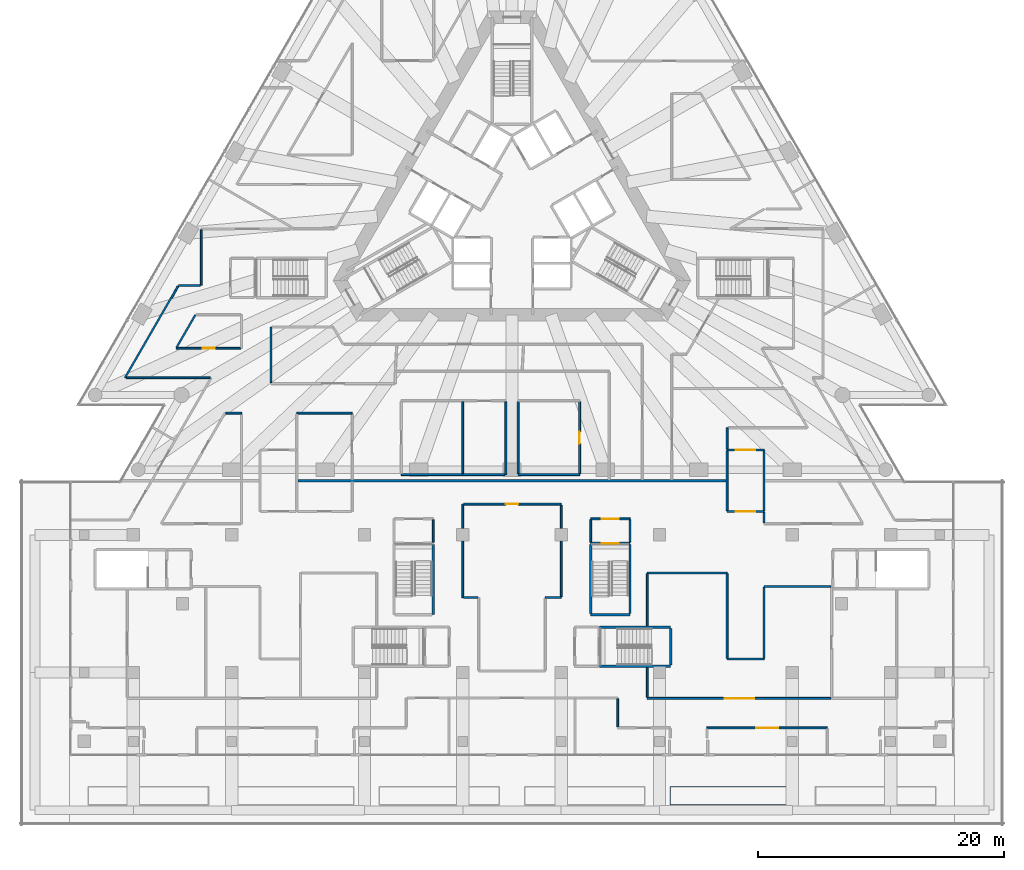
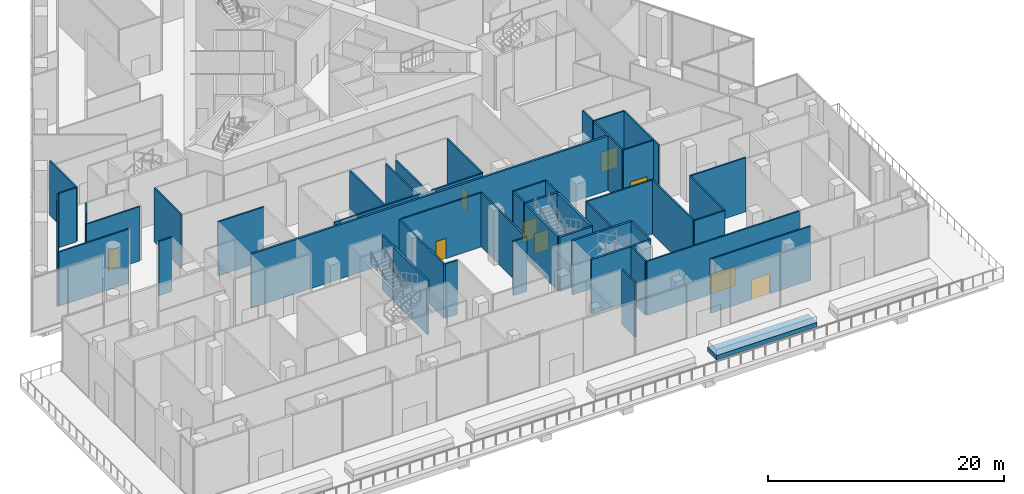
# One storey, part 24 of 36: 51 walls, 9 doors, 9 openings.
"""IFC4 building model written with IfcOpenShell, lengths in metres."""

from ifc_helpers import new_model, si_unit, direction, frame, frame_2d, origin, place, context, subcontext, project, spatial, rectangle, extrude, material, layer, layer_set, type_object, element, fill, save


model = new_model("IFC4")

# Units and contexts
model_context = context("Model", 3, precision=1e-05, world=origin(), true_north=direction((0.0, 1.0)))
body_context = subcontext(model_context, "Body", "Model", "MODEL_VIEW")
ifc_project = project(units=[si_unit("LENGTHUNIT", "METRE"), si_unit("AREAUNIT", "SQUARE_METRE"), si_unit("VOLUMEUNIT", "CUBIC_METRE"), si_unit("PLANEANGLEUNIT", "RADIAN"), si_unit("MASSUNIT", "GRAM", prefix="KILO")], contexts=[model_context])

# Site, building, storey
site_placement = place(None, origin())
site = spatial("IfcSite", under=ifc_project, at=site_placement, CompositionType="ELEMENT")
building_placement = place(site_placement, origin())
building = spatial("IfcBuilding", under=site, at=building_placement, Name="Triada Interchange Tower", CompositionType="ELEMENT")
storey_placement = place(building_placement, frame((0.0, 0.0, 8.5)))
storey = spatial("IfcBuildingStorey", under=building, at=storey_placement, Name="L01", CompositionType="ELEMENT", Elevation=8.5)

# Walls
ifc_material_1 = material(Name="Concrete C30/37", Category="concrete")
ifc_layer_1 = layer(ifc_material_1, 0.199951171875)
ifc_layer_set_1 = layer_set([ifc_layer_1], Name="COMPARTMENT WALL 200 EI 180")
wall_type_1 = type_object("IfcWallType", Name="COMPARTMENT WALL 200 EI 180", PredefinedType="SOLIDWALL", material=ifc_layer_set_1)
wall_1_placement = place(storey_placement, frame((-17.425048828125, -22.5, 0.0), z_axis=(0.0, 0.0, 1.0), x_axis=(1.0, 0.0, 0.0)))
element("IfcWall", 1, at=wall_1_placement, inside=storey, type_object=wall_type_1, Name="Compartment wall L01 51", PredefinedType="SOLIDWALL", context=body_context, shape_type="SweptSolid", body=[
    extrude(rectangle(XDim=34.85009765625, YDim=0.199951171875, at=frame_2d((17.425048828125, 0.0))), origin(), (0.0, 0.0, 1.0), 5.60009765625),
])
ifc_layer_2 = layer(ifc_material_1, 0.199951171875)
ifc_layer_set_2 = layer_set([ifc_layer_2], Name="CORE WALL 200 REI 240")
wall_type_2 = type_object("IfcWallType", Name="CORE WALL 200 REI 240", PredefinedType="SOLIDWALL", material=ifc_layer_set_2)
for number, where, z_axis, x_axis, name in (
    (2, (7.10009765625, -37.60009765625, 0.0), (0.0, 0.0, 1.0), (1.0, 0.0, 0.0), "Wall L01 248"),
    (3, (7.10009765625, -34.39990234375, 0.0), (0.0, 0.0, 1.0), (1.0, 0.0, 0.0), "Wall L01 251"),
):
    element("IfcWall", number, at=place(storey_placement, frame(where, z_axis=z_axis, x_axis=x_axis)), inside=storey, type_object=wall_type_2, Name=name, PredefinedType="SOLIDWALL", context=body_context, shape_type="SweptSolid", body=[
        extrude(rectangle(XDim=5.7998046875, YDim=0.199951171875, at=frame_2d((2.89990234375, 0.0))), origin(), (0.0, 0.0, 1.0), 5.60009765625),
    ])

# Wall, opening, door
wall_2_placement = place(storey_placement, frame((6.39990234375, -27.60009765625, 0.0), z_axis=(0.0, 0.0, 1.0), x_axis=(1.0, 0.0, 0.0)))
wall_2 = element("IfcWall", 4, at=wall_2_placement, inside=storey, type_object=wall_type_2, Name="Wall L01 255", PredefinedType="SOLIDWALL", context=body_context, shape_type="SweptSolid", body=[
    extrude(rectangle(XDim=3.2001953125, YDim=0.199951171875, at=frame_2d((1.60009765625, 0.0))), origin(), (0.0, 0.0, 1.0), 5.60009765625),
])
opening_1_placement = place(wall_2_placement, frame((0.89990234375, 0.0, 0.0)))
opening_1 = element("IfcOpeningElement", 5, at=opening_1_placement, cuts=wall_2, Name="Opening D01-27", PredefinedType="OPENING", context=body_context, shape_type="SweptSolid", body=[
    extrude(rectangle(XDim=1.39990234375, YDim=2.10009765625, at=frame_2d((0.699951171875, 1.050048828125))), frame((0.0, 0.10986328125, 0.0), z_axis=(0.0, -1.0, 0.0), x_axis=(1.0, 0.0, 0.0)), (0.0, 0.0, 1.0), 0.219970703125),
])
ifc_material_2 = material(Name="Steel S235 door leaf", Category="steel")
door_type_1 = type_object("IfcDoorType", Name="STAIR DOOR 1400 EI2 90-C5S200", OperationType="DOUBLE_DOOR_SINGLE_SWING", PredefinedType="DOOR", material=ifc_material_2)
door_1_placement = place(opening_1_placement, origin())
door_1 = element("IfcDoor", 6, at=door_1_placement, inside=storey, type_object=door_type_1, Name="Door D01-27 L01", OperationType="DOUBLE_DOOR_SINGLE_SWING", OverallHeight=2.10009765625, OverallWidth=1.39990234375, PredefinedType="DOOR", context=body_context, shape_type="SweptSolid", body=[
    extrude(rectangle(XDim=1.39990234375, YDim=2.10009765625, at=frame_2d((0.699951171875, 1.050048828125))), frame((0.0, 0.02490234375, 0.0), z_axis=(0.0, -1.0, 0.0), x_axis=(1.0, 0.0, 0.0)), (0.0, 0.0, 1.0), 0.050048828125),
])
fill(opening_1, door_1)

# Walls
wall_3_placement = place(storey_placement, frame((-6.39990234375, -33.39990234375, 0.0), z_axis=(0.0, 0.0, 1.0), x_axis=(0.0, 1.0, 0.0)))
element("IfcWall", 7, at=wall_3_placement, inside=storey, type_object=wall_type_2, Name="Wall L01 256", PredefinedType="SOLIDWALL", context=body_context, shape_type="SweptSolid", body=[
    extrude(rectangle(XDim=5.699951171875, YDim=0.199951171875, at=frame_2d((2.85009765625, 0.0))), origin(), (0.0, 0.0, 1.0), 5.60009765625),
])
wall_4_placement = place(storey_placement, frame((6.39990234375, -33.39990234375, 0.0), z_axis=(0.0, 0.0, 1.0), x_axis=(1.0, 0.0, 0.0)))
element("IfcWall", 8, at=wall_4_placement, inside=storey, type_object=wall_type_2, Name="Wall L01 258", PredefinedType="SOLIDWALL", context=body_context, shape_type="SweptSolid", body=[
    extrude(rectangle(XDim=3.2001953125, YDim=0.199951171875, at=frame_2d((1.60009765625, 0.0))), origin(), (0.0, 0.0, 1.0), 5.60009765625),
])
wall_5_placement = place(storey_placement, frame((9.60009765625, -33.300048828125, 0.0), z_axis=(0.0, 0.0, 1.0), x_axis=(0.0, 1.0, 0.0)))
element("IfcWall", 9, at=wall_5_placement, inside=storey, type_object=wall_type_2, Name="Wall L01 259", PredefinedType="SOLIDWALL", context=body_context, shape_type="SweptSolid", body=[
    extrude(rectangle(XDim=5.60009765625, YDim=0.199951171875, at=frame_2d((2.800048828125, 0.0))), origin(), (0.0, 0.0, 1.0), 5.60009765625),
])
wall_6_placement = place(storey_placement, frame((6.39990234375, -33.300048828125, 0.0), z_axis=(0.0, 0.0, 1.0), x_axis=(0.0, 1.0, 0.0)))
element("IfcWall", 10, at=wall_6_placement, inside=storey, type_object=wall_type_2, Name="Wall L01 260", PredefinedType="SOLIDWALL", context=body_context, shape_type="SweptSolid", body=[
    extrude(rectangle(XDim=5.59814453125, YDim=0.199951171875, at=frame_2d((2.799072265625, 0.0))), origin(), (0.0, 0.0, 1.0), 5.60009765625),
])
wall_7_placement = place(storey_placement, frame((12.89990234375, -37.5, 0.0), z_axis=(0.0, 0.0, 1.0), x_axis=(0.0, 1.0, 0.0)))
element("IfcWall", 11, at=wall_7_placement, inside=storey, type_object=wall_type_2, Name="Wall L01 262", PredefinedType="SOLIDWALL", context=body_context, shape_type="SweptSolid", body=[
    extrude(rectangle(XDim=3.0, YDim=0.199951171875, at=frame_2d((1.5, 0.0))), origin(), (0.0, 0.0, 1.0), 5.60009765625),
])

# Wall, opening, door
ifc_material_3 = material(Name="Gypsum board partition")
ifc_layer_3 = layer(ifc_material_3, 0.14990234375)
ifc_layer_set_3 = layer_set([ifc_layer_3], Name="PARTITION 150 EI 180")
wall_type_3 = type_object("IfcWallType", Name="PARTITION 150 EI 180", PredefinedType="PARTITIONING", material=ifc_layer_set_3)
wall_8_placement = place(storey_placement, frame((6.39990234375, -25.60009765625, 0.0), z_axis=(0.0, 0.0, 1.0), x_axis=(1.0, 0.0, 0.0)))
wall_8 = element("IfcWall", 12, at=wall_8_placement, inside=storey, type_object=wall_type_3, Name="Wall L01 13", PredefinedType="PARTITIONING", context=body_context, shape_type="SweptSolid", body=[
    extrude(rectangle(XDim=3.2001953125, YDim=0.14990234375, at=frame_2d((1.60009765625, 0.0))), origin(), (0.0, 0.0, 1.0), 5.60009765625),
])
opening_2_placement = place(wall_8_placement, frame((0.89990234375, 0.0, 0.0)))
opening_2 = element("IfcOpeningElement", 13, at=opening_2_placement, cuts=wall_8, Name="Opening D01-28", PredefinedType="OPENING", context=body_context, shape_type="SweptSolid", body=[
    extrude(rectangle(XDim=1.39990234375, YDim=2.10009765625, at=frame_2d((0.699951171875, 1.050048828125))), frame((0.0, 0.0849609375, 0.0), z_axis=(0.0, -1.0, 0.0), x_axis=(1.0, 0.0, 0.0)), (0.0, 0.0, 1.0), 0.169921875),
])
door_2_placement = place(opening_2_placement, origin())
door_2 = element("IfcDoor", 14, at=door_2_placement, inside=storey, type_object=door_type_1, Name="Door D01-28 L01", OperationType="DOUBLE_DOOR_SINGLE_SWING", OverallHeight=2.10009765625, OverallWidth=1.39990234375, PredefinedType="DOOR", context=body_context, shape_type="SweptSolid", body=[
    extrude(rectangle(XDim=1.39990234375, YDim=2.10009765625, at=frame_2d((0.699951171875, 1.050048828125))), frame((0.0, 0.02490234375, 0.0), z_axis=(0.0, -1.0, 0.0), x_axis=(1.0, 0.0, 0.0)), (0.0, 0.0, 1.0), 0.050048828125),
])
fill(opening_2, door_2)

# Walls
for number, where, z_axis, x_axis, name in (
    (15, (-6.39990234375, -27.5, 0.0), (0.0, 0.0, 1.0), (0.0, 1.0, 0.0), "Wall L01 14"),
    (16, (6.39990234375, -27.5, 0.0), (0.0, 0.0, 1.0), (0.0, 1.0, 0.0), "Wall L01 20"),
    (17, (9.60009765625, -27.5, 0.0), (0.0, 0.0, 1.0), (0.0, 1.0, 0.0), "Wall L01 21"),
):
    element("IfcWall", number, at=place(storey_placement, frame(where, z_axis=z_axis, x_axis=x_axis)), inside=storey, type_object=wall_type_3, Name=name, PredefinedType="PARTITIONING", context=body_context, shape_type="SweptSolid", body=[
        extrude(rectangle(XDim=1.824951171875, YDim=0.14990234375, at=frame_2d((0.91259765625, 0.0))), origin(), (0.0, 0.0, 1.0), 5.60009765625),
    ])

# Wall, opening, door
ifc_layer_4 = layer(ifc_material_3, 0.14990234375)
ifc_layer_set_4 = layer_set([ifc_layer_4], Name="PARTITION 150 EI 90")
wall_type_4 = type_object("IfcWallType", Name="PARTITION 150 EI 90", PredefinedType="PARTITIONING", material=ifc_layer_set_4)
wall_9_placement = place(storey_placement, frame((17.5, -20.0, 0.0), z_axis=(0.0, 0.0, 1.0), x_axis=(1.0, 0.0, 0.0)))
wall_9 = element("IfcWall", 18, at=wall_9_placement, inside=storey, type_object=wall_type_4, Name="Wall L01 30", PredefinedType="PARTITIONING", context=body_context, shape_type="SweptSolid", body=[
    extrude(rectangle(XDim=3.0, YDim=0.14990234375, at=frame_2d((1.5, 0.0))), origin(), (0.0, 0.0, 1.0), 5.60009765625),
])
opening_3_placement = place(wall_9_placement, frame((0.699951171875, 0.0, 0.0)))
opening_3 = element("IfcOpeningElement", 19, at=opening_3_placement, cuts=wall_9, Name="Opening D01-14", PredefinedType="OPENING", context=body_context, shape_type="SweptSolid", body=[
    extrude(rectangle(XDim=1.60009765625, YDim=2.10009765625, at=frame_2d((0.800048828125, 1.050048828125))), frame((0.0, 0.0849609375, 0.0), z_axis=(0.0, -1.0, 0.0), x_axis=(1.0, 0.0, 0.0)), (0.0, 0.0, 1.0), 0.169921875),
])
door_type_2 = type_object("IfcDoorType", Name="STAIR DOOR 1600 EI2 90-C5S200", OperationType="DOUBLE_DOOR_SINGLE_SWING", PredefinedType="DOOR", material=ifc_material_2)
door_3_placement = place(opening_3_placement, origin())
door_3 = element("IfcDoor", 20, at=door_3_placement, inside=storey, type_object=door_type_2, Name="Door D01-14 L01", OperationType="DOUBLE_DOOR_SINGLE_SWING", OverallHeight=2.10009765625, OverallWidth=1.60009765625, PredefinedType="DOOR", context=body_context, shape_type="SweptSolid", body=[
    extrude(rectangle(XDim=1.60009765625, YDim=2.10009765625, at=frame_2d((0.800048828125, 1.050048828125))), frame((0.0, 0.02490234375, 0.0), z_axis=(0.0, -1.0, 0.0), x_axis=(1.0, 0.0, 0.0)), (0.0, 0.0, 1.0), 0.050048828125),
])
fill(opening_3, door_3)

wall_10_placement = place(storey_placement, frame((17.5, -25.0, 0.0), z_axis=(0.0, 0.0, 1.0), x_axis=(1.0, 0.0, 0.0)))
wall_10 = element("IfcWall", 21, at=wall_10_placement, inside=storey, type_object=wall_type_4, Name="Wall L01 33", PredefinedType="PARTITIONING", context=body_context, shape_type="SweptSolid", body=[
    extrude(rectangle(XDim=3.0, YDim=0.14990234375, at=frame_2d((1.5, 0.0))), origin(), (0.0, 0.0, 1.0), 5.60009765625),
])
opening_4_placement = place(wall_10_placement, frame((0.699951171875, 0.0, 0.0)))
opening_4 = element("IfcOpeningElement", 22, at=opening_4_placement, cuts=wall_10, Name="Opening D01-13", PredefinedType="OPENING", context=body_context, shape_type="SweptSolid", body=[
    extrude(rectangle(XDim=1.60009765625, YDim=2.10009765625, at=frame_2d((0.800048828125, 1.050048828125))), frame((0.0, 0.0849609375, 0.0), z_axis=(0.0, -1.0, 0.0), x_axis=(1.0, 0.0, 0.0)), (0.0, 0.0, 1.0), 0.169921875),
])
door_4_placement = place(opening_4_placement, origin())
door_4 = element("IfcDoor", 23, at=door_4_placement, inside=storey, type_object=door_type_2, Name="Door D01-13 L01", OperationType="DOUBLE_DOOR_SINGLE_SWING", OverallHeight=2.10009765625, OverallWidth=1.60009765625, PredefinedType="DOOR", context=body_context, shape_type="SweptSolid", body=[
    extrude(rectangle(XDim=1.60009765625, YDim=2.10009765625, at=frame_2d((0.800048828125, 1.050048828125))), frame((0.0, 0.02490234375, 0.0), z_axis=(0.0, -1.0, 0.0), x_axis=(1.0, 0.0, 0.0)), (0.0, 0.0, 1.0), 0.050048828125),
])
fill(opening_4, door_4)

# Walls
for number, where, z_axis, x_axis, name in (
    (24, (17.5, -24.925048828125, 0.0), (0.0, 0.0, 1.0), (0.0, 1.0, 0.0), "Wall L01 34"),
    (25, (20.5, -24.925048828125, 0.0), (0.0, 0.0, 1.0), (0.0, 1.0, 0.0), "Wall L01 35"),
):
    element("IfcWall", number, at=place(storey_placement, frame(where, z_axis=z_axis, x_axis=x_axis)), inside=storey, type_object=wall_type_4, Name=name, PredefinedType="PARTITIONING", context=body_context, shape_type="SweptSolid", body=[
        extrude(rectangle(XDim=4.85009765625, YDim=0.14990234375, at=frame_2d((2.425048828125, 0.0))), origin(), (0.0, 0.0, 1.0), 5.60009765625),
    ])

# Wall, opening, door
wall_11_placement = place(storey_placement, frame((15.860107421875, -42.60009765625, 0.0), z_axis=(0.0, 0.0, 1.0), x_axis=(1.0, 0.0, 0.0)))
wall_11 = element("IfcWall", 26, at=wall_11_placement, inside=storey, type_object=wall_type_4, Name="Wall L01 43", PredefinedType="PARTITIONING", context=body_context, shape_type="SweptSolid", body=[
    extrude(rectangle(XDim=9.782958984375, YDim=0.14990234375, at=frame_2d((4.8916015625, 0.0))), origin(), (0.0, 0.0, 1.0), 5.60009765625),
])
opening_5_placement = place(wall_11_placement, frame((3.990966796875, 0.0, 0.0)))
opening_5 = element("IfcOpeningElement", 27, at=opening_5_placement, cuts=wall_11, Name="Opening D01-54", PredefinedType="OPENING", context=body_context, shape_type="SweptSolid", body=[
    extrude(rectangle(XDim=1.800048828125, YDim=2.10009765625, at=frame_2d((0.89990234375, 1.050048828125))), frame((0.0, 0.0849609375, 0.0), z_axis=(0.0, -1.0, 0.0), x_axis=(1.0, 0.0, 0.0)), (0.0, 0.0, 1.0), 0.169921875),
])
door_type_3 = type_object("IfcDoorType", Name="SHOP AND HALL ENTRANCE DOOR 1800 EI2 90-C5S200", OperationType="DOUBLE_DOOR_SINGLE_SWING", PredefinedType="DOOR", material=ifc_material_2)
door_5_placement = place(opening_5_placement, origin())
door_5 = element("IfcDoor", 28, at=door_5_placement, inside=storey, type_object=door_type_3, Name="Door D01-54 L01", OperationType="DOUBLE_DOOR_SINGLE_SWING", OverallHeight=2.10009765625, OverallWidth=1.800048828125, PredefinedType="DOOR", context=body_context, shape_type="SweptSolid", body=[
    extrude(rectangle(XDim=1.800048828125, YDim=2.10009765625, at=frame_2d((0.89990234375, 1.050048828125))), frame((0.0, 0.02490234375, 0.0), z_axis=(0.0, -1.0, 0.0), x_axis=(1.0, 0.0, 0.0)), (0.0, 0.0, 1.0), 0.050048828125),
])
fill(opening_5, door_5)

wall_12_placement = place(storey_placement, frame((11.0, -40.199951171875, 0.0), z_axis=(0.0, 0.0, 1.0), x_axis=(1.0, 0.0, 0.0)))
wall_12 = element("IfcWall", 29, at=wall_12_placement, inside=storey, type_object=wall_type_4, Name="Wall L01 54", PredefinedType="PARTITIONING", context=body_context, shape_type="SweptSolid", body=[
    extrude(rectangle(XDim=14.925048828125, YDim=0.14990234375, at=frame_2d((7.46240234375, 0.0))), origin(), (0.0, 0.0, 1.0), 5.60009765625),
])
opening_6_placement = place(wall_12_placement, frame((6.300048828125, 0.0, 0.0)))
opening_6 = element("IfcOpeningElement", 30, at=opening_6_placement, cuts=wall_12, Name="Opening D01-34", PredefinedType="OPENING", context=body_context, shape_type="SweptSolid", body=[
    extrude(rectangle(XDim=2.39990234375, YDim=2.10009765625, at=frame_2d((1.199951171875, 1.050048828125))), frame((0.0, 0.0849609375, 0.0), z_axis=(0.0, -1.0, 0.0), x_axis=(1.0, 0.0, 0.0)), (0.0, 0.0, 1.0), 0.169921875),
])
door_type_4 = type_object("IfcDoorType", Name="SHOP AND HALL ENTRANCE DOOR 2400 EI2 90-C5S200", OperationType="DOUBLE_DOOR_SINGLE_SWING", PredefinedType="DOOR", material=ifc_material_2)
door_6_placement = place(opening_6_placement, origin())
door_6 = element("IfcDoor", 31, at=door_6_placement, inside=storey, type_object=door_type_4, Name="Door D01-34 L01", OperationType="DOUBLE_DOOR_SINGLE_SWING", OverallHeight=2.10009765625, OverallWidth=2.39990234375, PredefinedType="DOOR", context=body_context, shape_type="SweptSolid", body=[
    extrude(rectangle(XDim=2.39990234375, YDim=2.10009765625, at=frame_2d((1.199951171875, 1.050048828125))), frame((0.0, 0.02490234375, 0.0), z_axis=(0.0, -1.0, 0.0), x_axis=(1.0, 0.0, 0.0)), (0.0, 0.0, 1.0), 0.050048828125),
])
fill(opening_6, door_6)

# Walls
wall_13_placement = place(storey_placement, frame((-25.280029296875, -6.60009765625, 0.0), z_axis=(0.0, 0.0, 1.0), x_axis=(0.0, 1.0, 0.0)))
element("IfcWall", 32, at=wall_13_placement, inside=storey, type_object=wall_type_4, Name="Wall L01 58", PredefinedType="PARTITIONING", context=body_context, shape_type="SweptSolid", body=[
    extrude(rectangle(XDim=4.505126953125, YDim=0.14990234375, at=frame_2d((2.25244140625, 0.0))), origin(), (0.0, 0.0, 1.0), 5.60009765625),
])
wall_14_placement = place(storey_placement, frame((-27.1240234375, -6.6201171875, 0.0), z_axis=(0.0, 0.0, 1.0), x_axis=(1.0, 0.0, 0.0)))
element("IfcWall", 33, at=wall_14_placement, inside=storey, type_object=wall_type_4, Name="Wall L01 59", PredefinedType="PARTITIONING", context=body_context, shape_type="SweptSolid", body=[
    extrude(rectangle(XDim=1.7490234375, YDim=0.14990234375, at=frame_2d((0.87451171875, 0.0))), origin(), (0.0, 0.0, 1.0), 5.60009765625),
])
wall_15_placement = place(storey_placement, frame((-27.712890625, -7.639892578125, 0.0), z_axis=(0.0, 0.0, 1.0), x_axis=(0.500277597875, 0.865865073245, 0.0)))
element("IfcWall", 34, at=wall_15_placement, inside=storey, type_object=wall_type_4, Name="Wall L01 60", PredefinedType="PARTITIONING", context=body_context, shape_type="SweptSolid", body=[
    extrude(rectangle(XDim=1.09130859375, YDim=0.14990234375, at=frame_2d((0.545654296875, 0.0))), origin(), (0.0, 0.0, 1.0), 5.60009765625),
])
wall_16_placement = place(storey_placement, frame((-31.47998046875, -14.125, 0.0), z_axis=(0.0, 0.0, 1.0), x_axis=(0.49998991361, 0.866031227086, 0.0)))
element("IfcWall", 35, at=wall_16_placement, inside=storey, type_object=wall_type_4, Name="Wall L01 61", PredefinedType="PARTITIONING", context=body_context, shape_type="SweptSolid", body=[
    extrude(rectangle(XDim=7.480224609375, YDim=0.14990234375, at=frame_2d((3.740234375, 0.0))), origin(), (0.0, 0.0, 1.0), 5.60009765625),
])
wall_17_placement = place(storey_placement, frame((-31.39404296875, -14.125, 0.0), z_axis=(0.0, 0.0, 1.0), x_axis=(1.0, 0.0, 0.0)))
element("IfcWall", 36, at=wall_17_placement, inside=storey, type_object=wall_type_4, Name="Wall L01 64", PredefinedType="PARTITIONING", context=body_context, shape_type="SweptSolid", body=[
    extrude(rectangle(XDim=6.842041015625, YDim=0.14990234375, at=frame_2d((3.4208984375, 0.0))), origin(), (0.0, 0.0, 1.0), 5.60009765625),
])
wall_18_placement = place(storey_placement, frame((-23.26708984375, -17.0, 0.0), z_axis=(0.0, 0.0, 1.0), x_axis=(1.0, 0.0, 0.0)))
element("IfcWall", 37, at=wall_18_placement, inside=storey, type_object=wall_type_4, Name="Wall L01 68", PredefinedType="PARTITIONING", context=body_context, shape_type="SweptSolid", body=[
    extrude(rectangle(XDim=1.26708984375, YDim=0.14990234375, at=frame_2d((0.633544921875, 0.0))), origin(), (0.0, 0.0, 1.0), 5.60009765625),
])
wall_19_placement = place(storey_placement, frame((-17.5, -17.0, 0.0), z_axis=(0.0, 0.0, 1.0), x_axis=(1.0, 0.0, 0.0)))
element("IfcWall", 38, at=wall_19_placement, inside=storey, type_object=wall_type_4, Name="Wall L01 69", PredefinedType="PARTITIONING", context=body_context, shape_type="SweptSolid", body=[
    extrude(rectangle(XDim=4.5, YDim=0.14990234375, at=frame_2d((2.25, 0.0))), origin(), (0.0, 0.0, 1.0), 5.60009765625),
])
wall_20_placement = place(storey_placement, frame((20.5, -31.10009765625, 0.0), z_axis=(0.0, 0.0, 1.0), x_axis=(1.0, 0.0, 0.0)))
element("IfcWall", 39, at=wall_20_placement, inside=storey, type_object=wall_type_4, Name="Wall L01 76", PredefinedType="PARTITIONING", context=body_context, shape_type="SweptSolid", body=[
    extrude(rectangle(XDim=5.425048828125, YDim=0.14990234375, at=frame_2d((2.71240234375, 0.0))), origin(), (0.0, 0.0, 1.0), 5.60009765625),
])
wall_21_placement = place(storey_placement, frame((17.5, -37.0, 0.0), z_axis=(0.0, 0.0, 1.0), x_axis=(1.0, 0.0, 0.0)))
element("IfcWall", 40, at=wall_21_placement, inside=storey, type_object=wall_type_4, Name="Wall L01 83", PredefinedType="PARTITIONING", context=body_context, shape_type="SweptSolid", body=[
    extrude(rectangle(XDim=3.0, YDim=0.14990234375, at=frame_2d((1.5, 0.0))), origin(), (0.0, 0.0, 1.0), 5.60009765625),
])
wall_22_placement = place(storey_placement, frame((11.0, -30.0, 0.0), z_axis=(0.0, 0.0, 1.0), x_axis=(1.0, 0.0, 0.0)))
element("IfcWall", 41, at=wall_22_placement, inside=storey, type_object=wall_type_4, Name="Wall L01 104", PredefinedType="PARTITIONING", context=body_context, shape_type="SweptSolid", body=[
    extrude(rectangle(XDim=6.5, YDim=0.14990234375, at=frame_2d((3.25, 0.0))), origin(), (0.0, 0.0, 1.0), 5.60009765625),
])
wall_23_placement = place(storey_placement, frame((-19.60009765625, -14.52490234375, 0.0), z_axis=(0.0, 0.0, 1.0), x_axis=(0.0, 1.0, 0.0)))
element("IfcWall", 42, at=wall_23_placement, inside=storey, type_object=wall_type_4, Name="Wall L01 113", PredefinedType="PARTITIONING", context=body_context, shape_type="SweptSolid", body=[
    extrude(rectangle(XDim=4.52490234375, YDim=0.14990234375, at=frame_2d((2.262451171875, 0.0))), origin(), (0.0, 0.0, 1.0), 5.60009765625),
])
wall_24_placement = place(storey_placement, frame((-0.5, -22.0, 0.0), z_axis=(0.0, 0.0, 1.0), x_axis=(0.0, 1.0, 0.0)))
element("IfcWall", 43, at=wall_24_placement, inside=storey, type_object=wall_type_4, Name="Wall L01 124", PredefinedType="PARTITIONING", context=body_context, shape_type="SweptSolid", body=[
    extrude(rectangle(XDim=5.925048828125, YDim=0.14990234375, at=frame_2d((2.96240234375, 0.0))), origin(), (0.0, 0.0, 1.0), 5.10009765625),
])
wall_25_placement = place(storey_placement, frame((-9.0, -22.0, 0.0), z_axis=(0.0, 0.0, 1.0), x_axis=(1.0, 0.0, 0.0)))
element("IfcWall", 44, at=wall_25_placement, inside=storey, type_object=wall_type_4, Name="Wall L01 125", PredefinedType="PARTITIONING", context=body_context, shape_type="SweptSolid", body=[
    extrude(rectangle(XDim=8.425048828125, YDim=0.14990234375, at=frame_2d((4.21240234375, 0.0))), origin(), (0.0, 0.0, 1.0), 5.60009765625),
])
wall_26_placement = place(storey_placement, frame((0.5, -22.0, 0.0), z_axis=(0.0, 0.0, 1.0), x_axis=(1.0, 0.0, 0.0)))
element("IfcWall", 45, at=wall_26_placement, inside=storey, type_object=wall_type_4, Name="Wall L01 126", PredefinedType="PARTITIONING", context=body_context, shape_type="SweptSolid", body=[
    extrude(rectangle(XDim=5.0, YDim=0.14990234375, at=frame_2d((2.5, 0.0))), origin(), (0.0, 0.0, 1.0), 5.60009765625),
])
wall_27_placement = place(storey_placement, frame((-4.0, -32.0, 0.0), z_axis=(0.0, 0.0, 1.0), x_axis=(0.0, 1.0, 0.0)))
element("IfcWall", 46, at=wall_27_placement, inside=storey, type_object=wall_type_4, Name="Wall L01 127", PredefinedType="PARTITIONING", context=body_context, shape_type="SweptSolid", body=[
    extrude(rectangle(XDim=7.60009765625, YDim=0.14990234375, at=frame_2d((3.800048828125, 0.0))), origin(), (0.0, 0.0, 1.0), 5.60009765625),
])
wall_28_placement = place(storey_placement, frame((-4.0, -21.925048828125, 0.0), z_axis=(0.0, 0.0, 1.0), x_axis=(0.0, 1.0, 0.0)))
element("IfcWall", 47, at=wall_28_placement, inside=storey, type_object=wall_type_4, Name="Wall L01 128", PredefinedType="PARTITIONING", context=body_context, shape_type="SweptSolid", body=[
    extrude(rectangle(XDim=5.85009765625, YDim=0.14990234375, at=frame_2d((2.925048828125, 0.0))), origin(), (0.0, 0.0, 1.0), 5.60009765625),
])
wall_29_placement = place(storey_placement, frame((8.60009765625, -42.52490234375, 0.0), z_axis=(0.0, 0.0, 1.0), x_axis=(0.0, 1.0, 0.0)))
element("IfcWall", 48, at=wall_29_placement, inside=storey, type_object=wall_type_4, Name="Wall L01 134", PredefinedType="PARTITIONING", context=body_context, shape_type="SweptSolid", body=[
    extrude(rectangle(XDim=2.27587890625, YDim=0.14990234375, at=frame_2d((1.137939453125, 0.0))), origin(), (0.0, 0.0, 1.0), 5.60009765625),
])
wall_30_placement = place(storey_placement, frame((11.0, -40.125, 0.0), z_axis=(0.0, 0.0, 1.0), x_axis=(0.0, 1.0, 0.0)))
element("IfcWall", 49, at=wall_30_placement, inside=storey, type_object=wall_type_4, Name="Wall L01 137", PredefinedType="PARTITIONING", context=body_context, shape_type="SweptSolid", body=[
    extrude(rectangle(XDim=2.425048828125, YDim=0.14990234375, at=frame_2d((1.21240234375, 0.0))), origin(), (0.0, 0.0, 1.0), 5.60009765625),
])
wall_31_placement = place(storey_placement, frame((11.0, -34.300048828125, 0.0), z_axis=(0.0, 0.0, 1.0), x_axis=(0.0, 1.0, 0.0)))
element("IfcWall", 50, at=wall_31_placement, inside=storey, type_object=wall_type_4, Name="Wall L01 138", PredefinedType="PARTITIONING", context=body_context, shape_type="SweptSolid", body=[
    extrude(rectangle(XDim=4.22509765625, YDim=0.14990234375, at=frame_2d((2.112548828125, 0.0))), origin(), (0.0, 0.0, 1.0), 5.60009765625),
])
wall_32_placement = place(storey_placement, frame((17.5, -36.925048828125, 0.0), z_axis=(0.0, 0.0, 1.0), x_axis=(0.0, 1.0, 0.0)))
element("IfcWall", 51, at=wall_32_placement, inside=storey, type_object=wall_type_4, Name="Wall L01 139", PredefinedType="PARTITIONING", context=body_context, shape_type="SweptSolid", body=[
    extrude(rectangle(XDim=6.85009765625, YDim=0.14990234375, at=frame_2d((3.425048828125, 0.0))), origin(), (0.0, 0.0, 1.0), 5.60009765625),
])
wall_33_placement = place(storey_placement, frame((17.5, -19.927001953125, 0.0), z_axis=(0.0, 0.0, 1.0), x_axis=(0.0, 1.0, 0.0)))
element("IfcWall", 52, at=wall_33_placement, inside=storey, type_object=wall_type_4, Name="Wall L01 140", PredefinedType="PARTITIONING", context=body_context, shape_type="SweptSolid", body=[
    extrude(rectangle(XDim=1.72705078125, YDim=0.14990234375, at=frame_2d((0.863525390625, 0.0))), origin(), (0.0, 0.0, 1.0), 5.60009765625),
])
wall_34_placement = place(storey_placement, frame((20.5, -36.925048828125, 0.0), z_axis=(0.0, 0.0, 1.0), x_axis=(0.0, 1.0, 0.0)))
element("IfcWall", 53, at=wall_34_placement, inside=storey, type_object=wall_type_4, Name="Wall L01 141", PredefinedType="PARTITIONING", context=body_context, shape_type="SweptSolid", body=[
    extrude(rectangle(XDim=5.75, YDim=0.14990234375, at=frame_2d((2.875, 0.0))), origin(), (0.0, 0.0, 1.0), 5.60009765625),
])
wall_35_placement = place(storey_placement, frame((20.5, -25.925048828125, 0.0), z_axis=(0.0, 0.0, 1.0), x_axis=(0.0, 1.0, 0.0)))
element("IfcWall", 54, at=wall_35_placement, inside=storey, type_object=wall_type_4, Name="Wall L01 142", PredefinedType="PARTITIONING", context=body_context, shape_type="SweptSolid", body=[
    extrude(rectangle(XDim=0.85205078125, YDim=0.14990234375, at=frame_2d((0.426025390625, 0.0))), origin(), (0.0, 0.0, 1.0), 5.60009765625),
])

# Wall, opening, door
wall_36_placement = place(storey_placement, frame((-27.322998046875, -11.72509765625, 0.0), z_axis=(0.0, 0.0, 1.0), x_axis=(1.0, 0.0, 0.0)))
wall_36 = element("IfcWall", 55, at=wall_36_placement, inside=storey, type_object=wall_type_4, Name="Wall L01 157", PredefinedType="PARTITIONING", context=body_context, shape_type="SweptSolid", body=[
    extrude(rectangle(XDim=5.248046875, YDim=0.14990234375, at=frame_2d((2.6240234375, 0.0))), origin(), (0.0, 0.0, 1.0), 5.60009765625),
])
opening_7_placement = place(wall_36_placement, frame((2.160888671875, 0.0, 0.0)))
opening_7 = element("IfcOpeningElement", 56, at=opening_7_placement, cuts=wall_36, Name="Opening D01-40", PredefinedType="OPENING", context=body_context, shape_type="SweptSolid", body=[
    extrude(rectangle(XDim=1.0, YDim=2.10009765625, at=frame_2d((0.5, 1.050048828125))), frame((0.0, 0.0849609375, 0.0), z_axis=(0.0, -1.0, 0.0), x_axis=(1.0, 0.0, 0.0)), (0.0, 0.0, 1.0), 0.169921875),
])
door_type_5 = type_object("IfcDoorType", Name="ROOM DOOR 1000 EI2 90-C5S200", OperationType="NOTDEFINED", PredefinedType="DOOR", material=ifc_material_2)
door_7_placement = place(opening_7_placement, origin())
door_7 = element("IfcDoor", 57, at=door_7_placement, inside=storey, type_object=door_type_5, Name="Door D01-40 L01", OperationType="SINGLE_SWING_RIGHT", OverallHeight=2.10009765625, OverallWidth=1.0, PredefinedType="DOOR", context=body_context, shape_type="SweptSolid", body=[
    extrude(rectangle(XDim=1.0, YDim=2.10009765625, at=frame_2d((0.5, 1.050048828125))), frame((0.0, 0.02490234375, 0.0), z_axis=(0.0, -1.0, 0.0), x_axis=(1.0, 0.0, 0.0)), (0.0, 0.0, 1.0), 0.050048828125),
])
fill(opening_7, door_7)

# Walls
wall_37_placement = place(storey_placement, frame((-27.280029296875, -11.64990234375, 0.0), z_axis=(0.0, 0.0, 1.0), x_axis=(0.500026340207, 0.866010195725, 0.0)))
element("IfcWall", 58, at=wall_37_placement, inside=storey, type_object=wall_type_4, Name="Wall L01 171", PredefinedType="PARTITIONING", context=body_context, shape_type="SweptSolid", body=[
    extrude(rectangle(XDim=3.059814453125, YDim=0.14990234375, at=frame_2d((1.52978515625, 0.0))), origin(), (0.0, 0.0, 1.0), 5.60009765625),
])
wall_38_placement = place(storey_placement, frame((-3.925048828125, -32.0, 0.0), z_axis=(0.0, 0.0, 1.0), x_axis=(1.0, 0.0, 0.0)))
element("IfcWall", 59, at=wall_38_placement, inside=storey, type_object=wall_type_4, Name="Wall L01 177", PredefinedType="PARTITIONING", context=body_context, shape_type="SweptSolid", body=[
    extrude(rectangle(XDim=1.150146484375, YDim=0.14990234375, at=frame_2d((0.5751953125, 0.0))), origin(), (0.0, 0.0, 1.0), 5.60009765625),
])
wall_39_placement = place(storey_placement, frame((2.699951171875, -32.0, 0.0), z_axis=(0.0, 0.0, 1.0), x_axis=(1.0, 0.0, 0.0)))
element("IfcWall", 60, at=wall_39_placement, inside=storey, type_object=wall_type_4, Name="Wall L01 178", PredefinedType="PARTITIONING", context=body_context, shape_type="SweptSolid", body=[
    extrude(rectangle(XDim=1.300048828125, YDim=0.14990234375, at=frame_2d((0.64990234375, 0.0))), origin(), (0.0, 0.0, 1.0), 5.60009765625),
])

# Wall, opening, door
wall_40_placement = place(storey_placement, frame((-3.925048828125, -24.39990234375, 0.0), z_axis=(0.0, 0.0, 1.0), x_axis=(1.0, 0.0, 0.0)))
wall_40 = element("IfcWall", 61, at=wall_40_placement, inside=storey, type_object=wall_type_4, Name="Wall L01 179", PredefinedType="PARTITIONING", context=body_context, shape_type="SweptSolid", body=[
    extrude(rectangle(XDim=7.925048828125, YDim=0.14990234375, at=frame_2d((3.96240234375, 0.0))), origin(), (0.0, 0.0, 1.0), 5.60009765625),
])
opening_8_placement = place(wall_40_placement, frame((3.425048828125, 0.0, 0.0)))
opening_8 = element("IfcOpeningElement", 62, at=opening_8_placement, cuts=wall_40, Name="Opening D01-56", PredefinedType="OPENING", context=body_context, shape_type="SweptSolid", body=[
    extrude(rectangle(XDim=1.0, YDim=2.10009765625, at=frame_2d((0.5, 1.050048828125))), frame((0.0, 0.0849609375, 0.0), z_axis=(0.0, -1.0, 0.0), x_axis=(1.0, 0.0, 0.0)), (0.0, 0.0, 1.0), 0.169921875),
])
door_8_placement = place(opening_8_placement, origin())
door_8 = element("IfcDoor", 63, at=door_8_placement, inside=storey, type_object=door_type_5, Name="Door D01-56 L01", OperationType="SINGLE_SWING_LEFT", OverallHeight=2.10009765625, OverallWidth=1.0, PredefinedType="DOOR", context=body_context, shape_type="SweptSolid", body=[
    extrude(rectangle(XDim=1.0, YDim=2.10009765625, at=frame_2d((0.5, 1.050048828125))), frame((0.0, 0.02490234375, 0.0), z_axis=(0.0, -1.0, 0.0), x_axis=(1.0, 0.0, 0.0)), (0.0, 0.0, 1.0), 0.050048828125),
])
fill(opening_8, door_8)

# Walls
wall_41_placement = place(storey_placement, frame((4.0, -31.925048828125, 0.0), z_axis=(0.0, 0.0, 1.0), x_axis=(0.0, 1.0, 0.0)))
element("IfcWall", 64, at=wall_41_placement, inside=storey, type_object=wall_type_4, Name="Wall L01 180", PredefinedType="PARTITIONING", context=body_context, shape_type="SweptSolid", body=[
    extrude(rectangle(XDim=7.449951171875, YDim=0.14990234375, at=frame_2d((3.72509765625, 0.0))), origin(), (0.0, 0.0, 1.0), 5.60009765625),
])
wall_42_placement = place(storey_placement, frame((0.5, -21.925048828125, 0.0), z_axis=(0.0, 0.0, 1.0), x_axis=(0.0, 1.0, 0.0)))
element("IfcWall", 65, at=wall_42_placement, inside=storey, type_object=wall_type_4, Name="Wall L01 182", PredefinedType="PARTITIONING", context=body_context, shape_type="SweptSolid", body=[
    extrude(rectangle(XDim=5.85009765625, YDim=0.14990234375, at=frame_2d((2.925048828125, 0.0))), origin(), (0.0, 0.0, 1.0), 5.10009765625),
])

# Wall, opening, door
wall_43_placement = place(storey_placement, frame((5.5, -21.925048828125, 0.0), z_axis=(0.0, 0.0, 1.0), x_axis=(0.0, 1.0, 0.0)))
wall_43 = element("IfcWall", 66, at=wall_43_placement, inside=storey, type_object=wall_type_4, Name="Wall L01 183", PredefinedType="PARTITIONING", context=body_context, shape_type="SweptSolid", body=[
    extrude(rectangle(XDim=5.85009765625, YDim=0.14990234375, at=frame_2d((2.925048828125, 0.0))), origin(), (0.0, 0.0, 1.0), 5.60009765625),
])
opening_9_placement = place(wall_43_placement, frame((2.425048828125, 0.0, 0.0)))
opening_9 = element("IfcOpeningElement", 67, at=opening_9_placement, cuts=wall_43, Name="Opening D01-46", PredefinedType="OPENING", context=body_context, shape_type="SweptSolid", body=[
    extrude(rectangle(XDim=1.0, YDim=2.10009765625, at=frame_2d((0.5, 1.050048828125))), frame((0.0, 0.0849609375, 0.0), z_axis=(0.0, -1.0, 0.0), x_axis=(1.0, 0.0, 0.0)), (0.0, 0.0, 1.0), 0.169921875),
])
door_type_6 = type_object("IfcDoorType", Name="ROOM DOOR 1000 EI2 45-C5S200", OperationType="NOTDEFINED", PredefinedType="DOOR", material=ifc_material_2)
door_9_placement = place(opening_9_placement, origin())
door_9 = element("IfcDoor", 68, at=door_9_placement, inside=storey, type_object=door_type_6, Name="Door D01-46 L01", OperationType="SINGLE_SWING_RIGHT", OverallHeight=2.10009765625, OverallWidth=1.0, PredefinedType="DOOR", context=body_context, shape_type="SweptSolid", body=[
    extrude(rectangle(XDim=1.0, YDim=2.10009765625, at=frame_2d((0.5, 1.050048828125))), frame((0.0, 0.02490234375, 0.0), z_axis=(0.0, -1.0, 0.0), x_axis=(1.0, 0.0, 0.0)), (0.0, 0.0, 1.0), 0.050048828125),
])
fill(opening_9, door_9)

# Wall
ifc_layer_5 = layer(ifc_material_1, 1.5)
ifc_layer_set_5 = layer_set([ifc_layer_5], Name="Planter bed 450")
wall_type_5 = type_object("IfcWallType", Name="Planter bed 450", PredefinedType="STANDARD", material=ifc_layer_set_5)
wall_44_placement = place(storey_placement, frame((12.8330078125, -48.1298828125, 0.0), z_axis=(0.0, 0.0, 1.0), x_axis=(1.0, 0.0, 0.0)))
element("IfcWall", 69, at=wall_44_placement, inside=storey, type_object=wall_type_5, Name="PLANTER L01 05", PredefinedType="STANDARD", context=body_context, shape_type="SweptSolid", body=[
    extrude(rectangle(XDim=9.833984375, YDim=1.5, at=frame_2d((4.9169921875, 0.0))), origin(), (0.0, 0.0, 1.0), 0.449951171875),
])

save(model, "model.ifc")
